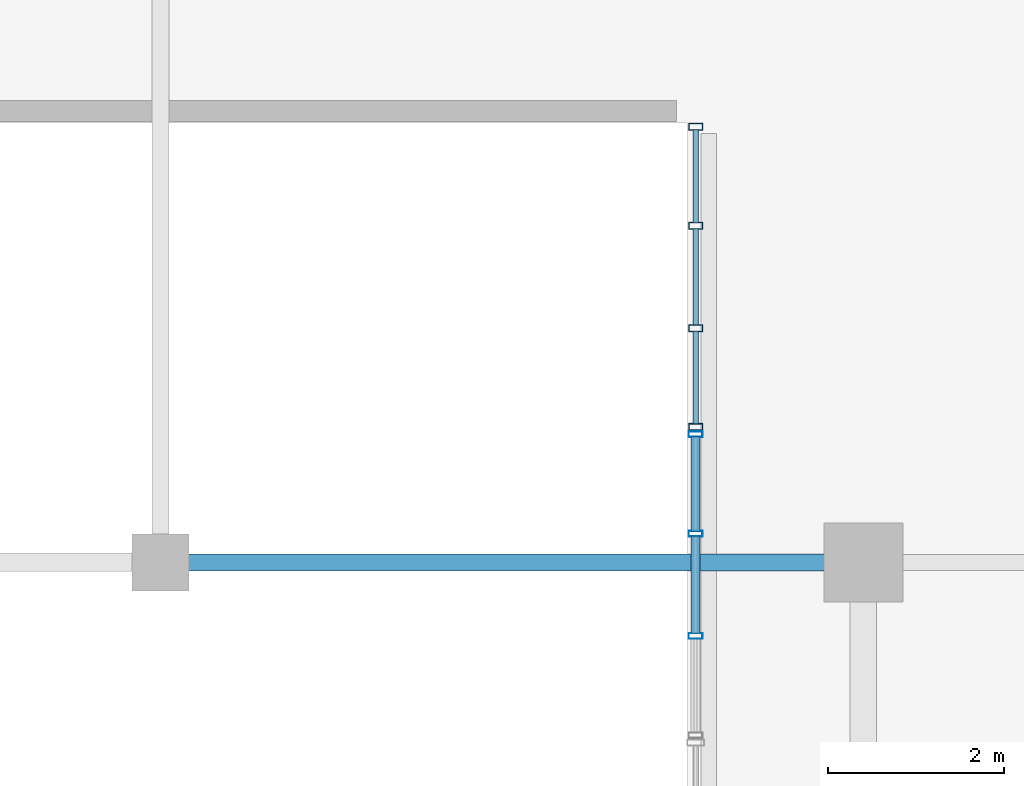
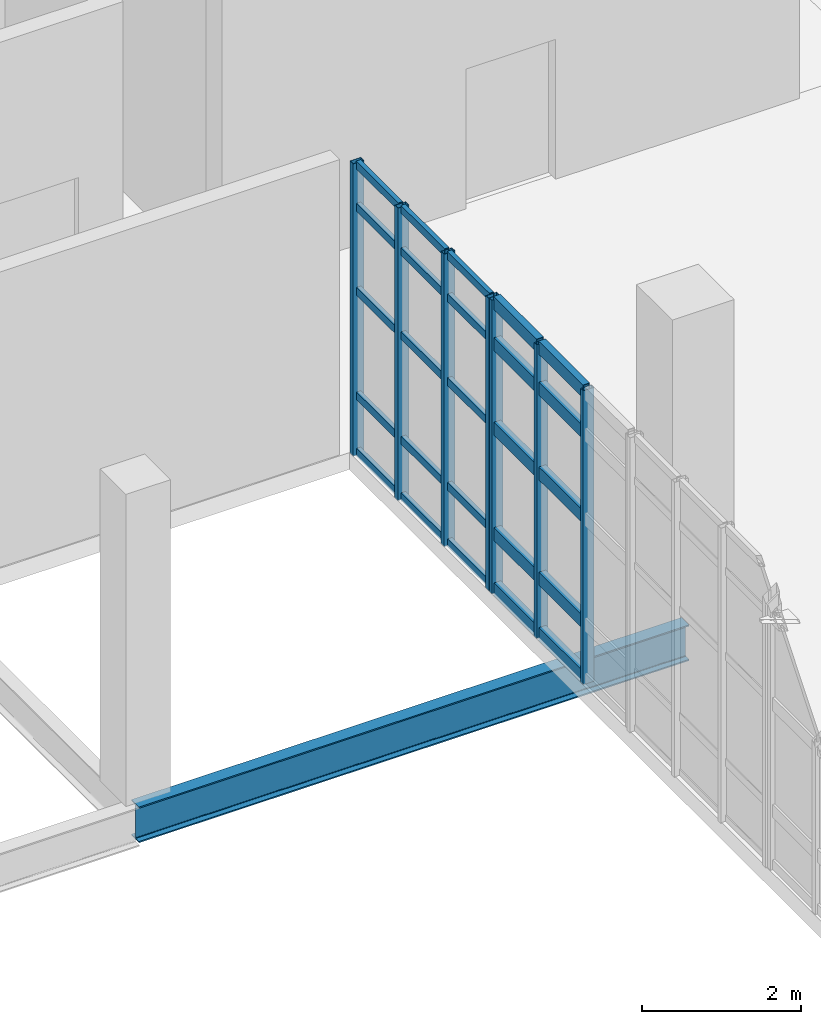
# One storey, part 30 of 100: 32 members, 1 beam, 2 elements without a shape of their own.
"""IFC4 building model written with IfcOpenShell, lengths in metres."""

from ifc_helpers import new_model, si_unit, derived_unit, direction, frame, origin, origin_2d, place, context, subcontext, project, spatial, hollow_rectangle, i_section, extrude, material, layer, layer_set, material_profile, profile_set, type_object, element, aggregate, save


model = new_model("IFC4")

# Units and contexts
model_context = context("Model", 3, precision=1e-05, world=origin(), true_north=direction((0.0, 1.0)))
body_context = subcontext(model_context, "Body", "Model", "MODEL_VIEW")
ifc_project = project(units=[si_unit("LENGTHUNIT", "METRE"), si_unit("AREAUNIT", "SQUARE_METRE"), si_unit("VOLUMEUNIT", "CUBIC_METRE"), si_unit("PLANEANGLEUNIT", "RADIAN"), si_unit("MASSUNIT", "GRAM", prefix="KILO"), derived_unit("THERMALTRANSMITTANCEUNIT", [(si_unit("POWERUNIT", "WATT"), 1), (si_unit("LENGTHUNIT", "METRE"), -2), (si_unit("THERMODYNAMICTEMPERATUREUNIT", "KELVIN"), -1)])], contexts=[model_context])

# Site, building, storey
site_placement = place(None, origin())
site = spatial("IfcSite", under=ifc_project, at=site_placement, CompositionType="ELEMENT")
building_placement = place(site_placement, origin())
building = spatial("IfcBuilding", under=site, at=building_placement, Name="Nallur Shell Playhouse", CompositionType="ELEMENT")
storey_placement = place(building_placement, frame((0.0, 0.0, 10.199951171875)))
storey = spatial("IfcBuildingStorey", under=building, at=storey_placement, Name="L03", CompositionType="ELEMENT", Elevation=10.199951171875)

# Beam
ifc_material_1 = material(Name="Steel E350", Category="steel")
ifc_material_profile_1 = material_profile(ifc_material_1, i_section(OverallWidth=0.18994140625, OverallDepth=0.550048828125, WebThickness=0.01123046875, FlangeThickness=0.019287109375, FilletRadius=0.01806640625, at=origin_2d()), Name="ISMB 550")
ifc_profile_set_1 = profile_set([ifc_material_profile_1], Name="Steel E350")
beam_type = type_object("IfcBeamType", Name="BM-ST-ISMB550", PredefinedType="BEAM", material=ifc_profile_set_1)
beam_placement = place(storey_placement, frame((48.0, 65.0, -0.534912109375), z_axis=(1.0, 0.0, 0.0), x_axis=(0.0, 1.0, 0.0)))
element("IfcBeam", 1, at=beam_placement, inside=storey, type_object=beam_type, Name="L03 girder X-H-617", PredefinedType="BEAM", context=body_context, shape_type="SweptSolid", body=[
    extrude(i_section(OverallWidth=0.18994140625, OverallDepth=0.550048828125, WebThickness=0.01123046875, FlangeThickness=0.019287109375, FilletRadius=0.01806640625, at=origin_2d()), origin(), (0.0, 0.0, 1.0), 8.0),
])

# Curtain wall, members
ifc_material_2 = material(Name="Anodised Aluminium Double-Glazed Facade System", Category="aluminium")
ifc_layer_1 = layer(ifc_material_2, 0.1640625)
ifc_layer_set_1 = layer_set([ifc_layer_1], Name="Anodised Aluminium Double-Glazed Facade System")
curtain_wall_type_1 = type_object("IfcCurtainWallType", Name="CW-UNIT-07", PredefinedType="NOTDEFINED", material=ifc_layer_set_1)
curtain_wall_1_placement = place(storey_placement, origin())
curtain_wall_1 = element("IfcCurtainWall", 2, at=curtain_wall_1_placement, inside=storey, type_object=curtain_wall_type_1, Name="Unitised curtain wall CW-071 (L03)", PredefinedType="NOTDEFINED")
ifc_material_3 = material(Name="Aluminium Alloy 6063-T6 Mullion", Category="aluminium")
ifc_material_profile_2 = material_profile(ifc_material_3, hollow_rectangle(XDim=0.080078125, YDim=0.159912109375, WallThickness=0.006103515625, at=origin_2d()), Name="RHS 160x80x6")
ifc_profile_set_2 = profile_set([ifc_material_profile_2], Name="Aluminium Alloy 6063-T6 Mullion")
member_type_1 = type_object("IfcMemberType", Name="MB-CW-MUL150", PredefinedType="MULLION", material=ifc_profile_set_2)
member_1_placement = place(storey_placement, frame((54.090087890625, 66.54150390625, -0.014892578125), z_axis=(0.0, 0.0, 1.0), x_axis=(0.0, 1.0, 0.0)))
member_1 = element("IfcMember", 3, at=member_1_placement, type_object=member_type_1, Name="CW-07 mullion 1", PredefinedType="MULLION", context=body_context, shape_type="SweptSolid", body=[
    extrude(hollow_rectangle(XDim=0.080078125, YDim=0.159912109375, WallThickness=0.006103515625, at=origin_2d()), origin(), (0.0, 0.0, 1.0), 4.4990234375),
])
member_2_placement = place(storey_placement, frame((54.090087890625, 67.667724609375, -0.014892578125), z_axis=(0.0, 0.0, 1.0), x_axis=(0.0, 1.0, 0.0)))
member_2 = element("IfcMember", 4, at=member_2_placement, type_object=member_type_1, Name="CW-07 mullion 2", PredefinedType="MULLION", context=body_context, shape_type="SweptSolid", body=[
    extrude(hollow_rectangle(XDim=0.080078125, YDim=0.159912109375, WallThickness=0.006103515625, at=origin_2d()), origin(), (0.0, 0.0, 1.0), 4.4990234375),
])
member_3_placement = place(storey_placement, frame((54.090087890625, 68.833984375, -0.014892578125), z_axis=(0.0, 0.0, 1.0), x_axis=(0.0, 1.0, 0.0)))
member_3 = element("IfcMember", 5, at=member_3_placement, type_object=member_type_1, Name="CW-07 mullion 3", PredefinedType="MULLION", context=body_context, shape_type="SweptSolid", body=[
    extrude(hollow_rectangle(XDim=0.080078125, YDim=0.159912109375, WallThickness=0.006103515625, at=origin_2d()), origin(), (0.0, 0.0, 1.0), 4.4990234375),
])
member_4_placement = place(storey_placement, frame((54.090087890625, 69.9599609375, -0.014892578125), z_axis=(0.0, 0.0, 1.0), x_axis=(0.0, 1.0, 0.0)))
member_4 = element("IfcMember", 6, at=member_4_placement, type_object=member_type_1, Name="CW-07 mullion 4", PredefinedType="MULLION", context=body_context, shape_type="SweptSolid", body=[
    extrude(hollow_rectangle(XDim=0.080078125, YDim=0.159912109375, WallThickness=0.006103515625, at=origin_2d()), origin(), (0.0, 0.0, 1.0), 4.4990234375),
])

ifc_layer_2 = layer(ifc_material_2, 0.159912109375)
ifc_layer_set_2 = layer_set([ifc_layer_2], Name="Anodised Aluminium Double-Glazed Facade System")
curtain_wall_type_2 = type_object("IfcCurtainWallType", Name="CW-UNIT-06", PredefinedType="NOTDEFINED", material=ifc_layer_set_2)
curtain_wall_2_placement = place(storey_placement, origin())
curtain_wall_2 = element("IfcCurtainWall", 7, at=curtain_wall_2_placement, inside=storey, type_object=curtain_wall_type_2, Name="Unitised curtain wall CW-070 (L03)", PredefinedType="NOTDEFINED")
ifc_material_profile_3 = material_profile(ifc_material_3, hollow_rectangle(XDim=0.06494140625, YDim=0.159912109375, WallThickness=0.00390625, at=origin_2d()), Name="ALU 65x160x4")
ifc_profile_set_3 = profile_set([ifc_material_profile_3], Name="Aluminium Alloy 6063-T6 Mullion")
member_type_2 = type_object("IfcMemberType", Name="MB-CW-MUL160", PredefinedType="MULLION", material=ifc_profile_set_3)
member_5_placement = place(storey_placement, frame((54.090087890625, 64.16259765625, -0.014892578125), z_axis=(0.0, 0.0, 1.0), x_axis=(0.0, 1.0, 0.0)))
member_5 = element("IfcMember", 8, at=member_5_placement, type_object=member_type_2, Name="CW-06 mullion 2", PredefinedType="MULLION", context=body_context, shape_type="SweptSolid", body=[
    extrude(hollow_rectangle(XDim=0.06494140625, YDim=0.159912109375, WallThickness=0.00390625, at=origin_2d()), origin(), (0.0, 0.0, 1.0), 4.51904296875),
])
member_6_placement = place(storey_placement, frame((54.090087890625, 65.3271484375, -0.014892578125), z_axis=(0.0, 0.0, 1.0), x_axis=(0.0, 1.0, 0.0)))
member_6 = element("IfcMember", 9, at=member_6_placement, type_object=member_type_2, Name="CW-06 mullion 3", PredefinedType="MULLION", context=body_context, shape_type="SweptSolid", body=[
    extrude(hollow_rectangle(XDim=0.06494140625, YDim=0.159912109375, WallThickness=0.00390625, at=origin_2d()), origin(), (0.0, 0.0, 1.0), 4.51904296875),
])
member_7_placement = place(storey_placement, frame((54.090087890625, 66.458984375, -0.014892578125), z_axis=(0.0, 0.0, 1.0), x_axis=(0.0, 1.0, 0.0)))
member_7 = element("IfcMember", 10, at=member_7_placement, type_object=member_type_2, Name="CW-06 mullion 4", PredefinedType="MULLION", context=body_context, shape_type="SweptSolid", body=[
    extrude(hollow_rectangle(XDim=0.06494140625, YDim=0.159912109375, WallThickness=0.00390625, at=origin_2d()), origin(), (0.0, 0.0, 1.0), 4.51904296875),
])

# Member
ifc_material_4 = material(Name="Aluminium Alloy 6063-T6 Transom", Category="aluminium")
ifc_material_profile_4 = material_profile(ifc_material_4, hollow_rectangle(XDim=0.06494140625, YDim=0.1201171875, WallThickness=0.00390625, at=origin_2d()), Name="ALU 65x120x4")
ifc_profile_set_4 = profile_set([ifc_material_profile_4], Name="Aluminium Alloy 6063-T6 Transom")
member_type_3 = type_object("IfcMemberType", Name="MB-CW-TRN120", PredefinedType="USERDEFINED", material=ifc_profile_set_4)
member_8_placement = place(storey_placement, frame((54.090087890625, 66.573486328125, 0.032470703125), z_axis=(0.0, 1.0, 0.0), x_axis=(-1.0, 0.0, 0.0)))
member_8 = element("IfcMember", 11, at=member_8_placement, type_object=member_type_3, Name="CW-07 transom 1.1", ObjectType="TRANSOM", PredefinedType="USERDEFINED", context=body_context, shape_type="SweptSolid", body=[
    extrude(hollow_rectangle(XDim=0.06494140625, YDim=0.1201171875, WallThickness=0.00390625, at=origin_2d()), origin(), (0.0, 0.0, 1.0), 1.062255859375),
])

member_9_placement = place(storey_placement, frame((54.090087890625, 66.573486328125, 0.900146484375), z_axis=(0.0, 1.0, 0.0), x_axis=(-1.0, 0.0, 0.0)))
member_9 = element("IfcMember", 12, at=member_9_placement, type_object=member_type_3, Name="CW-07 transom 1.2", ObjectType="TRANSOM", PredefinedType="USERDEFINED", context=body_context, shape_type="SweptSolid", body=[
    extrude(hollow_rectangle(XDim=0.06494140625, YDim=0.1201171875, WallThickness=0.00390625, at=origin_2d()), origin(), (0.0, 0.0, 1.0), 1.062255859375),
])

member_10_placement = place(storey_placement, frame((54.090087890625, 66.573486328125, 2.509033203125), z_axis=(0.0, 1.0, 0.0), x_axis=(-1.0, 0.0, 0.0)))
member_10 = element("IfcMember", 13, at=member_10_placement, type_object=member_type_3, Name="CW-07 transom 1.3", ObjectType="TRANSOM", PredefinedType="USERDEFINED", context=body_context, shape_type="SweptSolid", body=[
    extrude(hollow_rectangle(XDim=0.06494140625, YDim=0.1201171875, WallThickness=0.00390625, at=origin_2d()), origin(), (0.0, 0.0, 1.0), 1.062255859375),
])

member_11_placement = place(storey_placement, frame((54.090087890625, 66.573486328125, 3.800048828125), z_axis=(0.0, 1.0, 0.0), x_axis=(-1.0, 0.0, 0.0)))
member_11 = element("IfcMember", 14, at=member_11_placement, type_object=member_type_3, Name="CW-07 transom 1.4", ObjectType="TRANSOM", PredefinedType="USERDEFINED", context=body_context, shape_type="SweptSolid", body=[
    extrude(hollow_rectangle(XDim=0.06494140625, YDim=0.1201171875, WallThickness=0.00390625, at=origin_2d()), origin(), (0.0, 0.0, 1.0), 1.062255859375),
])

member_12_placement = place(storey_placement, frame((54.090087890625, 66.573486328125, 4.447509765625), z_axis=(0.0, 1.0, 0.0), x_axis=(-1.0, 0.0, 0.0)))
member_12 = element("IfcMember", 15, at=member_12_placement, type_object=member_type_3, Name="CW-07 transom 1.5", ObjectType="TRANSOM", PredefinedType="USERDEFINED", context=body_context, shape_type="SweptSolid", body=[
    extrude(hollow_rectangle(XDim=0.06494140625, YDim=0.1201171875, WallThickness=0.00390625, at=origin_2d()), origin(), (0.0, 0.0, 1.0), 1.062255859375),
])

member_13_placement = place(storey_placement, frame((54.090087890625, 67.69970703125, 0.032470703125), z_axis=(0.0, 1.0, 0.0), x_axis=(-1.0, 0.0, 0.0)))
member_13 = element("IfcMember", 16, at=member_13_placement, type_object=member_type_3, Name="CW-07 transom 2.1", ObjectType="TRANSOM", PredefinedType="USERDEFINED", context=body_context, shape_type="SweptSolid", body=[
    extrude(hollow_rectangle(XDim=0.06494140625, YDim=0.1201171875, WallThickness=0.00390625, at=origin_2d()), origin(), (0.0, 0.0, 1.0), 1.10205078125),
])

member_14_placement = place(storey_placement, frame((54.090087890625, 67.69970703125, 0.900146484375), z_axis=(0.0, 1.0, 0.0), x_axis=(-1.0, 0.0, 0.0)))
member_14 = element("IfcMember", 17, at=member_14_placement, type_object=member_type_3, Name="CW-07 transom 2.2", ObjectType="TRANSOM", PredefinedType="USERDEFINED", context=body_context, shape_type="SweptSolid", body=[
    extrude(hollow_rectangle(XDim=0.06494140625, YDim=0.1201171875, WallThickness=0.00390625, at=origin_2d()), origin(), (0.0, 0.0, 1.0), 1.10205078125),
])

member_15_placement = place(storey_placement, frame((54.090087890625, 67.69970703125, 2.509033203125), z_axis=(0.0, 1.0, 0.0), x_axis=(-1.0, 0.0, 0.0)))
member_15 = element("IfcMember", 18, at=member_15_placement, type_object=member_type_3, Name="CW-07 transom 2.3", ObjectType="TRANSOM", PredefinedType="USERDEFINED", context=body_context, shape_type="SweptSolid", body=[
    extrude(hollow_rectangle(XDim=0.06494140625, YDim=0.1201171875, WallThickness=0.00390625, at=origin_2d()), origin(), (0.0, 0.0, 1.0), 1.10205078125),
])

member_16_placement = place(storey_placement, frame((54.090087890625, 67.69970703125, 3.800048828125), z_axis=(0.0, 1.0, 0.0), x_axis=(-1.0, 0.0, 0.0)))
member_16 = element("IfcMember", 19, at=member_16_placement, type_object=member_type_3, Name="CW-07 transom 2.4", ObjectType="TRANSOM", PredefinedType="USERDEFINED", context=body_context, shape_type="SweptSolid", body=[
    extrude(hollow_rectangle(XDim=0.06494140625, YDim=0.1201171875, WallThickness=0.00390625, at=origin_2d()), origin(), (0.0, 0.0, 1.0), 1.10205078125),
])

member_17_placement = place(storey_placement, frame((54.090087890625, 67.69970703125, 4.447509765625), z_axis=(0.0, 1.0, 0.0), x_axis=(-1.0, 0.0, 0.0)))
member_17 = element("IfcMember", 20, at=member_17_placement, type_object=member_type_3, Name="CW-07 transom 2.5", ObjectType="TRANSOM", PredefinedType="USERDEFINED", context=body_context, shape_type="SweptSolid", body=[
    extrude(hollow_rectangle(XDim=0.06494140625, YDim=0.1201171875, WallThickness=0.00390625, at=origin_2d()), origin(), (0.0, 0.0, 1.0), 1.10205078125),
])

member_18_placement = place(storey_placement, frame((54.090087890625, 68.865966796875, 0.032470703125), z_axis=(0.0, 1.0, 0.0), x_axis=(-1.0, 0.0, 0.0)))
member_18 = element("IfcMember", 21, at=member_18_placement, type_object=member_type_3, Name="CW-07 transom 3.1", ObjectType="TRANSOM", PredefinedType="USERDEFINED", context=body_context, shape_type="SweptSolid", body=[
    extrude(hollow_rectangle(XDim=0.06494140625, YDim=0.1201171875, WallThickness=0.00390625, at=origin_2d()), origin(), (0.0, 0.0, 1.0), 1.06201171875),
])

member_19_placement = place(storey_placement, frame((54.090087890625, 68.865966796875, 0.900146484375), z_axis=(0.0, 1.0, 0.0), x_axis=(-1.0, 0.0, 0.0)))
member_19 = element("IfcMember", 22, at=member_19_placement, type_object=member_type_3, Name="CW-07 transom 3.2", ObjectType="TRANSOM", PredefinedType="USERDEFINED", context=body_context, shape_type="SweptSolid", body=[
    extrude(hollow_rectangle(XDim=0.06494140625, YDim=0.1201171875, WallThickness=0.00390625, at=origin_2d()), origin(), (0.0, 0.0, 1.0), 1.06201171875),
])

member_20_placement = place(storey_placement, frame((54.090087890625, 68.865966796875, 2.509033203125), z_axis=(0.0, 1.0, 0.0), x_axis=(-1.0, 0.0, 0.0)))
member_20 = element("IfcMember", 23, at=member_20_placement, type_object=member_type_3, Name="CW-07 transom 3.3", ObjectType="TRANSOM", PredefinedType="USERDEFINED", context=body_context, shape_type="SweptSolid", body=[
    extrude(hollow_rectangle(XDim=0.06494140625, YDim=0.1201171875, WallThickness=0.00390625, at=origin_2d()), origin(), (0.0, 0.0, 1.0), 1.06201171875),
])

member_21_placement = place(storey_placement, frame((54.090087890625, 68.865966796875, 3.800048828125), z_axis=(0.0, 1.0, 0.0), x_axis=(-1.0, 0.0, 0.0)))
member_21 = element("IfcMember", 24, at=member_21_placement, type_object=member_type_3, Name="CW-07 transom 3.4", ObjectType="TRANSOM", PredefinedType="USERDEFINED", context=body_context, shape_type="SweptSolid", body=[
    extrude(hollow_rectangle(XDim=0.06494140625, YDim=0.1201171875, WallThickness=0.00390625, at=origin_2d()), origin(), (0.0, 0.0, 1.0), 1.06201171875),
])

member_22_placement = place(storey_placement, frame((54.090087890625, 68.865966796875, 4.447509765625), z_axis=(0.0, 1.0, 0.0), x_axis=(-1.0, 0.0, 0.0)))
member_22 = element("IfcMember", 25, at=member_22_placement, type_object=member_type_3, Name="CW-07 transom 3.5", ObjectType="TRANSOM", PredefinedType="USERDEFINED", context=body_context, shape_type="SweptSolid", body=[
    extrude(hollow_rectangle(XDim=0.06494140625, YDim=0.1201171875, WallThickness=0.00390625, at=origin_2d()), origin(), (0.0, 0.0, 1.0), 1.06201171875),
])

aggregate(curtain_wall_1, [member_1, member_2, member_3, member_4, member_8, member_9, member_10, member_11, member_12, member_13, member_14, member_15, member_16, member_17, member_18, member_19, member_20, member_21, member_22])

ifc_material_profile_5 = material_profile(ifc_material_4, hollow_rectangle(XDim=0.10009765625, YDim=0.199951171875, WallThickness=0.008056640625, at=origin_2d()), Name="RHS 200x100x8")
ifc_profile_set_5 = profile_set([ifc_material_profile_5], Name="Aluminium Alloy 6063-T6 Transom")
member_type_4 = type_object("IfcMemberType", Name="MB-CW-TRN140", PredefinedType="USERDEFINED", material=ifc_profile_set_5)
member_23_placement = place(storey_placement, frame((54.090087890625, 64.187255859375, 0.050048828125), z_axis=(0.0, 1.0, 0.0), x_axis=(-1.0, 0.0, 0.0)))
member_23 = element("IfcMember", 26, at=member_23_placement, type_object=member_type_4, Name="CW-06 transom 2.1", ObjectType="TRANSOM", PredefinedType="USERDEFINED", context=body_context, shape_type="SweptSolid", body=[
    extrude(hollow_rectangle(XDim=0.10009765625, YDim=0.199951171875, WallThickness=0.008056640625, at=origin_2d()), origin(), (0.0, 0.0, 1.0), 1.115478515625),
])

member_24_placement = place(storey_placement, frame((54.090087890625, 64.187255859375, 0.900146484375), z_axis=(0.0, 1.0, 0.0), x_axis=(-1.0, 0.0, 0.0)))
member_24 = element("IfcMember", 27, at=member_24_placement, type_object=member_type_4, Name="CW-06 transom 2.2", ObjectType="TRANSOM", PredefinedType="USERDEFINED", context=body_context, shape_type="SweptSolid", body=[
    extrude(hollow_rectangle(XDim=0.10009765625, YDim=0.199951171875, WallThickness=0.008056640625, at=origin_2d()), origin(), (0.0, 0.0, 1.0), 1.115478515625),
])

member_25_placement = place(storey_placement, frame((54.090087890625, 64.187255859375, 2.52001953125), z_axis=(0.0, 1.0, 0.0), x_axis=(-1.0, 0.0, 0.0)))
member_25 = element("IfcMember", 28, at=member_25_placement, type_object=member_type_4, Name="CW-06 transom 2.3", ObjectType="TRANSOM", PredefinedType="USERDEFINED", context=body_context, shape_type="SweptSolid", body=[
    extrude(hollow_rectangle(XDim=0.10009765625, YDim=0.199951171875, WallThickness=0.008056640625, at=origin_2d()), origin(), (0.0, 0.0, 1.0), 1.115478515625),
])

member_26_placement = place(storey_placement, frame((54.090087890625, 64.187255859375, 3.820068359375), z_axis=(0.0, 1.0, 0.0), x_axis=(-1.0, 0.0, 0.0)))
member_26 = element("IfcMember", 29, at=member_26_placement, type_object=member_type_4, Name="CW-06 transom 2.4", ObjectType="TRANSOM", PredefinedType="USERDEFINED", context=body_context, shape_type="SweptSolid", body=[
    extrude(hollow_rectangle(XDim=0.10009765625, YDim=0.199951171875, WallThickness=0.008056640625, at=origin_2d()), origin(), (0.0, 0.0, 1.0), 1.115478515625),
])

member_27_placement = place(storey_placement, frame((54.090087890625, 64.187255859375, 4.449951171875), z_axis=(0.0, 1.0, 0.0), x_axis=(-1.0, 0.0, 0.0)))
member_27 = element("IfcMember", 30, at=member_27_placement, type_object=member_type_4, Name="CW-06 transom 2.5", ObjectType="TRANSOM", PredefinedType="USERDEFINED", context=body_context, shape_type="SweptSolid", body=[
    extrude(hollow_rectangle(XDim=0.10009765625, YDim=0.199951171875, WallThickness=0.008056640625, at=origin_2d()), origin(), (0.0, 0.0, 1.0), 1.115478515625),
])

member_28_placement = place(storey_placement, frame((54.090087890625, 65.3515625, 0.050048828125), z_axis=(0.0, 1.0, 0.0), x_axis=(-1.0, 0.0, 0.0)))
member_28 = element("IfcMember", 31, at=member_28_placement, type_object=member_type_4, Name="CW-06 transom 3.1", ObjectType="TRANSOM", PredefinedType="USERDEFINED", context=body_context, shape_type="SweptSolid", body=[
    extrude(hollow_rectangle(XDim=0.10009765625, YDim=0.199951171875, WallThickness=0.008056640625, at=origin_2d()), origin(), (0.0, 0.0, 1.0), 1.0830078125),
])

member_29_placement = place(storey_placement, frame((54.090087890625, 65.3515625, 0.900146484375), z_axis=(0.0, 1.0, 0.0), x_axis=(-1.0, 0.0, 0.0)))
member_29 = element("IfcMember", 32, at=member_29_placement, type_object=member_type_4, Name="CW-06 transom 3.2", ObjectType="TRANSOM", PredefinedType="USERDEFINED", context=body_context, shape_type="SweptSolid", body=[
    extrude(hollow_rectangle(XDim=0.10009765625, YDim=0.199951171875, WallThickness=0.008056640625, at=origin_2d()), origin(), (0.0, 0.0, 1.0), 1.0830078125),
])

member_30_placement = place(storey_placement, frame((54.090087890625, 65.3515625, 2.52001953125), z_axis=(0.0, 1.0, 0.0), x_axis=(-1.0, 0.0, 0.0)))
member_30 = element("IfcMember", 33, at=member_30_placement, type_object=member_type_4, Name="CW-06 transom 3.3", ObjectType="TRANSOM", PredefinedType="USERDEFINED", context=body_context, shape_type="SweptSolid", body=[
    extrude(hollow_rectangle(XDim=0.10009765625, YDim=0.199951171875, WallThickness=0.008056640625, at=origin_2d()), origin(), (0.0, 0.0, 1.0), 1.0830078125),
])

member_31_placement = place(storey_placement, frame((54.090087890625, 65.3515625, 3.820068359375), z_axis=(0.0, 1.0, 0.0), x_axis=(-1.0, 0.0, 0.0)))
member_31 = element("IfcMember", 34, at=member_31_placement, type_object=member_type_4, Name="CW-06 transom 3.4", ObjectType="TRANSOM", PredefinedType="USERDEFINED", context=body_context, shape_type="SweptSolid", body=[
    extrude(hollow_rectangle(XDim=0.10009765625, YDim=0.199951171875, WallThickness=0.008056640625, at=origin_2d()), origin(), (0.0, 0.0, 1.0), 1.0830078125),
])

member_32_placement = place(storey_placement, frame((54.090087890625, 65.3515625, 4.449951171875), z_axis=(0.0, 1.0, 0.0), x_axis=(-1.0, 0.0, 0.0)))
member_32 = element("IfcMember", 35, at=member_32_placement, type_object=member_type_4, Name="CW-06 transom 3.5", ObjectType="TRANSOM", PredefinedType="USERDEFINED", context=body_context, shape_type="SweptSolid", body=[
    extrude(hollow_rectangle(XDim=0.10009765625, YDim=0.199951171875, WallThickness=0.008056640625, at=origin_2d()), origin(), (0.0, 0.0, 1.0), 1.0830078125),
])

aggregate(curtain_wall_2, [member_5, member_6, member_7, member_23, member_24, member_25, member_26, member_27, member_28, member_29, member_30, member_31, member_32])

save(model, "model.ifc")
